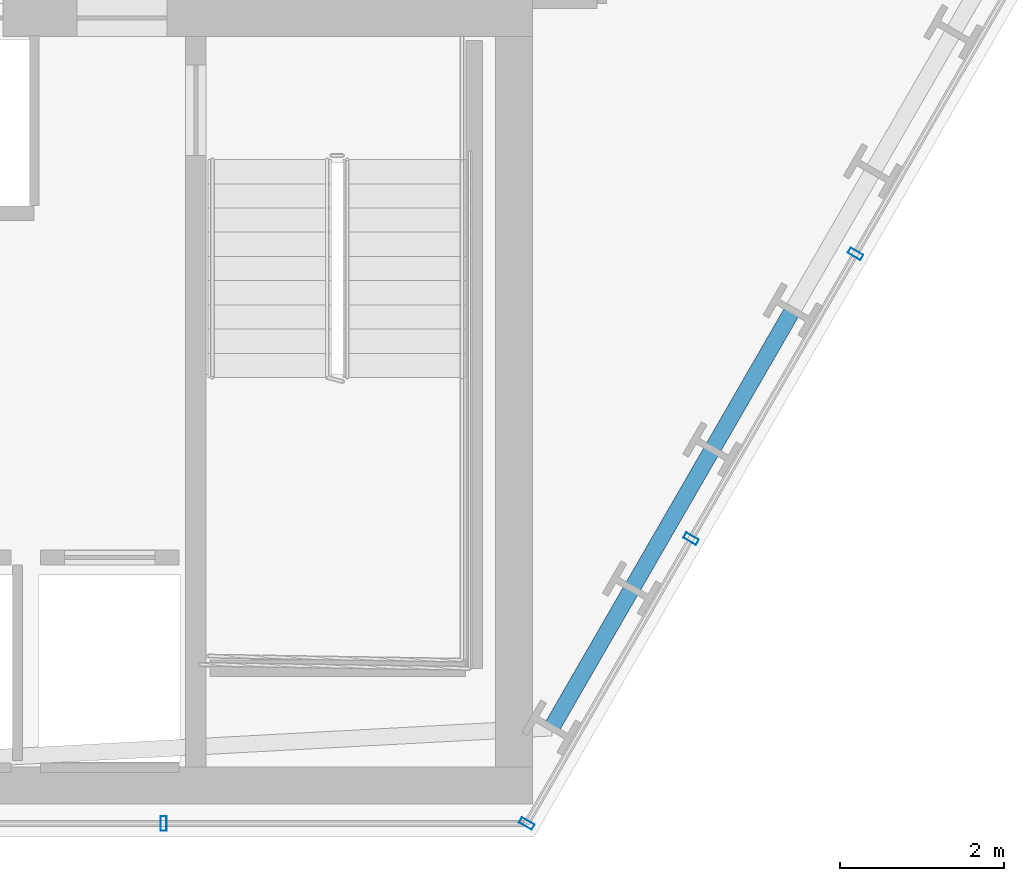
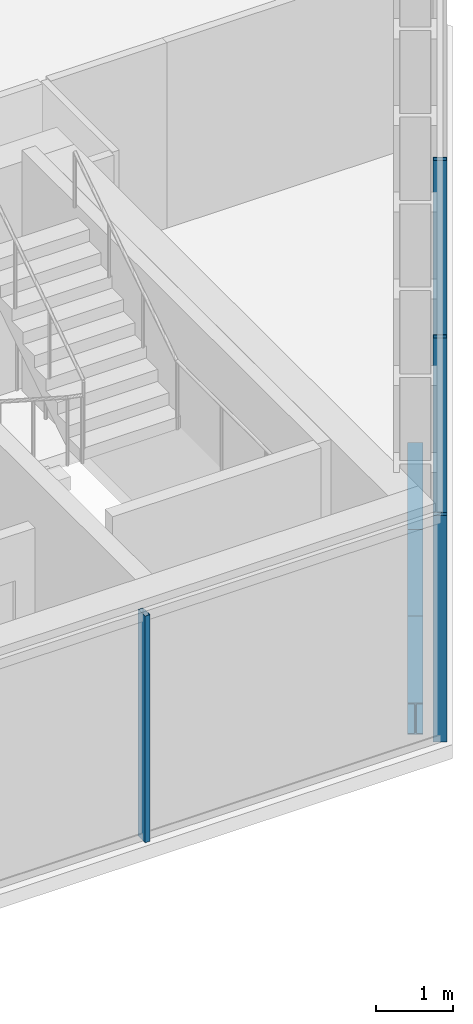
# One storey, part 14 of 32: 4 members, 3 beams, 2 elements without a shape of their own.
"""IFC4 building model written with IfcOpenShell, lengths in metres."""

from ifc_helpers import new_model, si_unit, direction, frame, origin, origin_2d, place, context, subcontext, project, spatial, hollow_rectangle, i_section, extrude, material, layer, layer_set, material_profile, profile_set, type_object, element, aggregate, save


model = new_model("IFC4")

# Units and contexts
model_context = context("Model", 3, precision=1e-05, world=origin(), true_north=direction((0.0, 1.0)))
body_context = subcontext(model_context, "Body", "Model", "MODEL_VIEW")
ifc_project = project(units=[si_unit("LENGTHUNIT", "METRE"), si_unit("AREAUNIT", "SQUARE_METRE"), si_unit("VOLUMEUNIT", "CUBIC_METRE"), si_unit("PLANEANGLEUNIT", "RADIAN"), si_unit("MASSUNIT", "GRAM", prefix="KILO")], contexts=[model_context])

# Site, building, storey
site_placement = place(None, origin())
site = spatial("IfcSite", under=ifc_project, at=site_placement, CompositionType="ELEMENT")
building_placement = place(site_placement, origin())
building = spatial("IfcBuilding", under=site, at=building_placement, Name="Ndaravel Arena Tower", CompositionType="ELEMENT")
storey_placement = place(building_placement, frame((0.0, 0.0, 47.39990234375)))
storey = spatial("IfcBuildingStorey", under=building, at=storey_placement, Name="L09", CompositionType="ELEMENT", Elevation=47.39990234375)

# Beams
ifc_material_1 = material(Name="Steel S355", Category="steel")
ifc_material_profile_1 = material_profile(ifc_material_1, i_section(OverallWidth=0.199951171875, OverallDepth=0.5, WebThickness=0.01025390625, FlangeThickness=0.01611328125, FilletRadius=0.02099609375, at=origin_2d()), Name="IPE 500")
ifc_profile_set_1 = profile_set([ifc_material_profile_1], Name="Steel S355")
beam_type = type_object("IfcBeamType", Name="BM-SPAN-IPE500", PredefinedType="SPANDREL", material=ifc_profile_set_1)
beam_1_placement = place(storey_placement, frame((57.784423828125, 6.327392578125, -0.469970703125), z_axis=(0.49994920724, 0.866054727012, 0.0), x_axis=(-0.866054727012, 0.49994920724, 0.0)))
element("IfcBeam", 1, at=beam_1_placement, inside=storey, type_object=beam_type, Name="L09 Perimeter Spandrel Beam SP-02", PredefinedType="SPANDREL", context=body_context, shape_type="SweptSolid", body=[
    extrude(i_section(OverallWidth=0.199951171875, OverallDepth=0.5, WebThickness=0.01025390625, FlangeThickness=0.01611328125, FilletRadius=0.02099609375, at=origin_2d()), origin(), (0.0, 0.0, 1.0), 1.957275390625),
])
beam_2_placement = place(storey_placement, frame((58.762939453125, 8.0224609375, -0.469970703125), z_axis=(0.500096775829, 0.865969523024, 0.0), x_axis=(-0.865969523024, 0.500096775829, 0.0)))
element("IfcBeam", 2, at=beam_2_placement, inside=storey, type_object=beam_type, Name="L09 Perimeter Spandrel Beam SP-03", PredefinedType="SPANDREL", context=body_context, shape_type="SweptSolid", body=[
    extrude(i_section(OverallWidth=0.199951171875, OverallDepth=0.5, WebThickness=0.01025390625, FlangeThickness=0.01611328125, FilletRadius=0.02099609375, at=origin_2d()), origin(), (0.0, 0.0, 1.0), 1.95703125),
])
beam_3_placement = place(storey_placement, frame((59.74169921875, 9.71728515625, -0.469970703125), z_axis=(0.49994920724, 0.866054727012, 0.0), x_axis=(-0.866054727012, 0.49994920724, 0.0)))
element("IfcBeam", 3, at=beam_3_placement, inside=storey, type_object=beam_type, Name="L09 Perimeter Spandrel Beam SP-04", PredefinedType="SPANDREL", context=body_context, shape_type="SweptSolid", body=[
    extrude(i_section(OverallWidth=0.199951171875, OverallDepth=0.5, WebThickness=0.01025390625, FlangeThickness=0.01611328125, FilletRadius=0.02099609375, at=origin_2d()), origin(), (0.0, 0.0, 1.0), 1.957275390625),
])

# Curtain wall, member
ifc_material_2 = material(Name="Aluminium", Category="aluminium")
ifc_layer_1 = layer(ifc_material_2, 0.179931640625)
ifc_layer_set_1 = layer_set([ifc_layer_1], Name="Aluminium")
curtain_wall_type_1 = type_object("IfcCurtainWallType", Name="CW-SYS-03", PredefinedType="NOTDEFINED", material=ifc_layer_set_1)
curtain_wall_1_placement = place(storey_placement, origin())
curtain_wall_1 = element("IfcCurtainWall", 4, at=curtain_wall_1_placement, inside=storey, type_object=curtain_wall_type_1, Name="L09 Faceted Crystal Curtain Wall CW-L09-E01", PredefinedType="NOTDEFINED")
ifc_material_3 = material(Name="Aluminium", Category="aluminium")
ifc_material_profile_2 = material_profile(ifc_material_3, hollow_rectangle(XDim=0.074951171875, YDim=0.179931640625, WallThickness=0.00390625, at=origin_2d()), Name="CW MULLION 75x180x4")
ifc_profile_set_2 = profile_set([ifc_material_profile_2], Name="Aluminium")
member_type = type_object("IfcMemberType", Name="MEM-CW-MUL180", PredefinedType="MULLION", material=ifc_profile_set_2)
member_1_placement = place(storey_placement, frame((53.05712890625, 5.159912109375, 0.0), z_axis=(0.0, 0.0, 1.0), x_axis=(1.0, 0.0, 0.0)))
member_1 = element("IfcMember", 5, at=member_1_placement, type_object=member_type, Name="CW-L09-E01 Mullion 06", PredefinedType="MULLION", context=body_context, shape_type="SweptSolid", body=[
    extrude(hollow_rectangle(XDim=0.074951171875, YDim=0.179931640625, WallThickness=0.00390625, at=origin_2d()), origin(), (0.0, 0.0, 1.0), 3.580078125),
])
aggregate(curtain_wall_1, [member_1])

# Curtain wall, members
ifc_material_4 = material(Name="Aluminium", Category="aluminium")
ifc_layer_2 = layer(ifc_material_4, 0.179931640625)
ifc_layer_set_2 = layer_set([ifc_layer_2], Name="Aluminium")
curtain_wall_type_2 = type_object("IfcCurtainWallType", Name="CW-SYS-01", PredefinedType="NOTDEFINED", material=ifc_layer_set_2)
curtain_wall_2_placement = place(storey_placement, origin())
curtain_wall_2 = element("IfcCurtainWall", 6, at=curtain_wall_2_placement, inside=storey, type_object=curtain_wall_type_2, Name="L09 Faceted Crystal Curtain Wall CW-L09-E02", PredefinedType="NOTDEFINED")
member_2_placement = place(storey_placement, frame((57.47998046875, 5.159912109375, 0.0), z_axis=(0.0, 0.0, 1.0), x_axis=(0.5, 0.866025403784, 0.0)))
member_2 = element("IfcMember", 7, at=member_2_placement, type_object=member_type, Name="CW-L09-E02 Mullion 00", PredefinedType="MULLION", context=body_context, shape_type="SweptSolid", body=[
    extrude(hollow_rectangle(XDim=0.074951171875, YDim=0.179931640625, WallThickness=0.00390625, at=origin_2d()), origin(), (0.0, 0.0, 1.0), 3.580078125),
])
member_3_placement = place(storey_placement, frame((59.483154296875, 8.6298828125, 0.0), z_axis=(0.0, 0.0, 1.0), x_axis=(0.5, 0.866025403784, 0.0)))
member_3 = element("IfcMember", 8, at=member_3_placement, type_object=member_type, Name="CW-L09-E02 Mullion 01", PredefinedType="MULLION", context=body_context, shape_type="SweptSolid", body=[
    extrude(hollow_rectangle(XDim=0.074951171875, YDim=0.179931640625, WallThickness=0.00390625, at=origin_2d()), origin(), (0.0, 0.0, 1.0), 3.580078125),
])
member_4_placement = place(storey_placement, frame((61.486572265625, 12.099853515625, 0.0), z_axis=(0.0, 0.0, 1.0), x_axis=(0.5, 0.866025403784, 0.0)))
member_4 = element("IfcMember", 9, at=member_4_placement, type_object=member_type, Name="CW-L09-E02 Mullion 02", PredefinedType="MULLION", context=body_context, shape_type="SweptSolid", body=[
    extrude(hollow_rectangle(XDim=0.074951171875, YDim=0.179931640625, WallThickness=0.00390625, at=origin_2d()), origin(), (0.0, 0.0, 1.0), 3.580078125),
])
aggregate(curtain_wall_2, [member_2, member_3, member_4])

save(model, "model.ifc")
